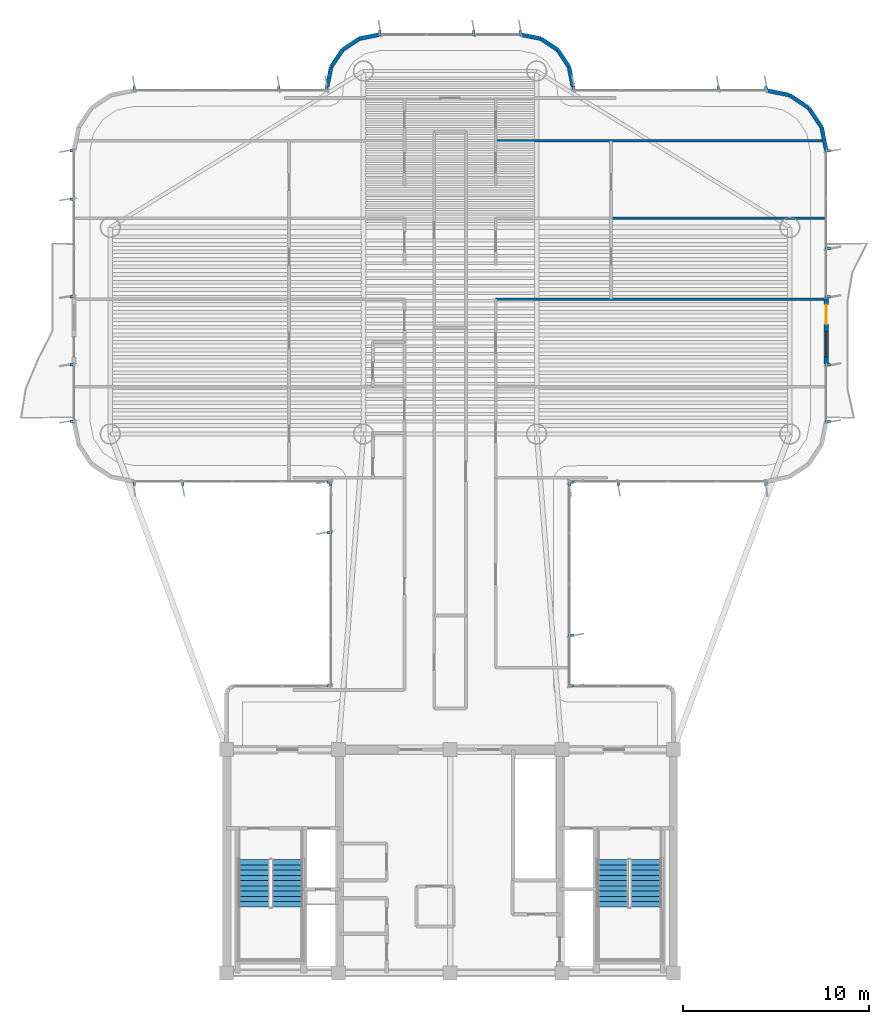
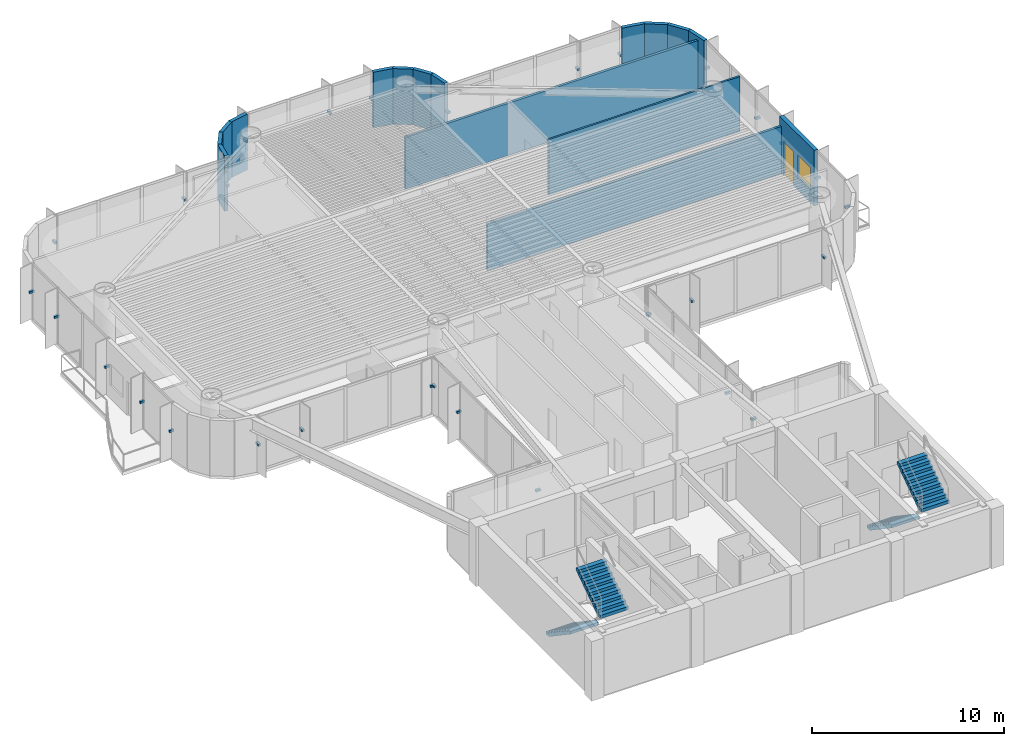
# One storey, part 12 of 14: 31 discrete accessories, 16 walls, 4 stair flights, 1 door, 1 window, 2 openings, 2 elements without a shape of their own.
"""IFC4 building model written with IfcOpenShell, lengths in metres."""

from ifc_helpers import new_model, si_unit, direction, frame, frame_2d, origin, origin_2d, place, context, subcontext, project, spatial, polyline, rectangle, outline, extrude, source, transform, mapped, material, layer, layer_set, type_object, element, fill, aggregate, save


model = new_model("IFC4")

# Units and contexts
model_context = context("Model", 3, precision=1e-05, world=origin(), true_north=direction((0.0, 1.0)))
body_context = subcontext(model_context, "Body", "Model", "MODEL_VIEW")
ifc_project = project(units=[si_unit("LENGTHUNIT", "METRE"), si_unit("AREAUNIT", "SQUARE_METRE"), si_unit("VOLUMEUNIT", "CUBIC_METRE"), si_unit("PLANEANGLEUNIT", "RADIAN"), si_unit("MASSUNIT", "GRAM", prefix="KILO")], contexts=[model_context])

# Site, building, storey
site_placement = place(None, origin())
site = spatial("IfcSite", under=ifc_project, at=site_placement, CompositionType="ELEMENT")
building_placement = place(site_placement, origin())
building = spatial("IfcBuilding", under=site, at=building_placement, Name="Brelvock Crest Care Tower", CompositionType="ELEMENT")
storey_placement = place(building_placement, frame((0.0, 0.0, 194.219970703125)))
storey = spatial("IfcBuildingStorey", under=building, at=storey_placement, Name="L49", CompositionType="ELEMENT", Elevation=194.219970703125)

# Wall, openings, door, window
ifc_material_1 = material(Name="Precast concrete N40 (40 MPa)", Category="concrete")
ifc_layer_1 = layer(ifc_material_1, 0.239990234375, Name="WL-EX1")
ifc_layer_set_1 = layer_set([ifc_layer_1], Name="Precast concrete N40 (40 MPa)")
wall_type_1 = type_object("IfcWallType", Name="WL-EX1", PredefinedType="SOLIDWALL", material=ifc_layer_set_1)
wall_1_placement = place(storey_placement, frame((56.199951171875, 42.300048828125, 0.0), z_axis=(0.0, 0.0, 1.0), x_axis=(0.0, -1.0, 0.0)))
wall_1 = element("IfcWall", 1, at=wall_1_placement, inside=storey, type_object=wall_type_1, Name="L49 Exterior Spandrel Wall WL-BAL-L49-E", PredefinedType="SOLIDWALL", context=body_context, shape_type="SweptSolid", body=[
    extrude(rectangle(XDim=3.60009765625, YDim=0.239990234375, at=frame_2d((1.800048828125, 0.0))), origin(), (0.0, 0.0, 1.0), 3.530029296875),
])
opening_1_placement = place(wall_1_placement, frame((0.39990234375, 0.0, 0.0)))
opening_1 = element("IfcOpeningElement", 2, at=opening_1_placement, cuts=wall_1, Name="Opening BD-1", PredefinedType="OPENING", context=body_context, shape_type="SweptSolid", body=[
    extrude(rectangle(XDim=1.050048828125, YDim=2.14990234375, at=origin_2d()), frame((0.52490234375, 0.1298828125, 1.074951171875), z_axis=(0.0, -1.0, 0.0), x_axis=(1.0, 0.0, 0.0)), (0.0, 0.0, 1.0), 0.260009765625),
])
opening_2_placement = place(wall_1_placement, frame((1.85009765625, 0.0, 0.85009765625)))
opening_2 = element("IfcOpeningElement", 3, at=opening_2_placement, cuts=wall_1, Name="Opening W-01", PredefinedType="OPENING", context=body_context, shape_type="SweptSolid", body=[
    extrude(rectangle(XDim=1.35009765625, YDim=1.35009765625, at=origin_2d()), frame((0.675048828125, 0.1298828125, 0.675048828125), z_axis=(0.0, -1.0, 0.0), x_axis=(1.0, 0.0, 0.0)), (0.0, 0.0, 1.0), 0.260009765625),
])
ifc_material_2 = material(Name="Dark Glass Double Glazed Low-E", Category="glass")
door_type = type_object("IfcDoorType", Name="DR-BAL1", OperationType="NOTDEFINED", PredefinedType="DOOR", material=ifc_material_2)
shared_shape_1 = source(origin(), body_context, "Body", "SweptSolid", [
    extrude(rectangle(XDim=1.050048828125, YDim=2.14990234375, at=origin_2d()), frame((0.52490234375, 0.02490234375, 1.074951171875), z_axis=(0.0, -1.0, 0.0), x_axis=(1.0, 0.0, 0.0)), (0.0, 0.0, 1.0), 0.050048828125),
])
door_placement = place(opening_1_placement, origin())
door = element("IfcDoor", 4, at=door_placement, inside=storey, type_object=door_type, Name="L49 E Wave Balcony Glazed Door", OperationType="SINGLE_SWING_RIGHT", OverallHeight=2.14990234375, OverallWidth=1.050048828125, PredefinedType="DOOR", context=body_context, shape_type="MappedRepresentation", body=[
    mapped(shared_shape_1, transform((0.0, 0.0, 0.0), x_axis=(1.0, 0.0, 0.0), y_axis=(0.0, 1.0, 0.0), z_axis=(0.0, 0.0, 1.0), scale=1.0)),
])
fill(opening_1, door)
window_type = type_object("IfcWindowType", Name="WN-EX1", PartitioningType="SINGLE_PANEL", PredefinedType="WINDOW", material=ifc_material_2)
shared_shape_2 = source(origin(), body_context, "Body", "SweptSolid", [
    extrude(rectangle(XDim=1.35009765625, YDim=1.35009765625, at=origin_2d()), frame((0.675048828125, 0.030029296875, 0.675048828125), z_axis=(0.0, -1.0, 0.0), x_axis=(1.0, 0.0, 0.0)), (0.0, 0.0, 1.0), 0.06005859375),
])
window_placement = place(opening_2_placement, origin())
window = element("IfcWindow", 5, at=window_placement, inside=storey, type_object=window_type, Name="L49 E Suite Casement Window", OverallHeight=1.35009765625, OverallWidth=1.35009765625, PartitioningType="SINGLE_PANEL", PredefinedType="WINDOW", context=body_context, shape_type="MappedRepresentation", body=[
    mapped(shared_shape_2, transform((0.0, 0.0, 0.0), x_axis=(1.0, 0.0, 0.0), y_axis=(0.0, 1.0, 0.0), z_axis=(0.0, 0.0, 1.0), scale=1.0)),
])
fill(opening_2, window)

# Walls
ifc_layer_2 = layer(ifc_material_1, 0.215087890625, Name="WL-EX2")
ifc_layer_set_2 = layer_set([ifc_layer_2], Name="Precast concrete N40 (40 MPa)")
wall_type_2 = type_object("IfcWallType", Name="WL-EX2", PredefinedType="SOLIDWALL", material=ifc_layer_set_2)
wall_2_placement = place(storey_placement, frame((29.39990234375, 53.60009765625, 0.0), z_axis=(0.0, 0.0, 1.0), x_axis=(0.195127417394, 0.980777900945, 0.0)))
element("IfcWall", 6, at=wall_2_placement, inside=storey, type_object=wall_type_2, Name="L49 Rounded Corner Wall 24", PredefinedType="SOLIDWALL", context=body_context, shape_type="SweptSolid", body=[
    extrude(rectangle(XDim=1.09228515625, YDim=0.215087890625, at=frame_2d((0.546142578125, 0.0))), origin(), (0.0, 0.0, 1.0), 3.530029296875),
])
wall_3_placement = place(storey_placement, frame((29.613037109375, 54.67138671875, 0.0), z_axis=(0.0, 0.0, 1.0), x_axis=(0.555679482341, 0.831396603857, 0.0)))
element("IfcWall", 7, at=wall_3_placement, inside=storey, type_object=wall_type_2, Name="L49 Rounded Corner Wall 25", PredefinedType="SOLIDWALL", context=body_context, shape_type="SweptSolid", body=[
    extrude(rectangle(XDim=1.0927734375, YDim=0.215087890625, at=frame_2d((0.54638671875, 0.0))), origin(), (0.0, 0.0, 1.0), 3.530029296875),
])
for number, where, z_axis, x_axis, name in (
    (8, (30.22021484375, 55.579833984375, 0.0), (0.0, 0.0, 1.0), (0.831327592857, 0.555782721353, 0.0), "L49 Rounded Corner Wall 26"),
    (9, (31.12841796875, 56.18701171875, 0.0), (0.0, 0.0, 1.0), (0.980829143587, 0.194869677195, 0.0), "L49 Rounded Corner Wall 27"),
    (10, (39.800048828125, 56.39990234375, 0.0), (0.0, 0.0, 1.0), (0.980829143587, -0.194869677195, 0.0), "L49 Rounded Corner Wall 29"),
    (11, (40.87158203125, 56.18701171875, 0.0), (0.0, 0.0, 1.0), (0.831327592857, -0.555782721353, 0.0), "L49 Rounded Corner Wall 30"),
):
    element("IfcWall", number, at=place(storey_placement, frame(where, z_axis=z_axis, x_axis=x_axis)), inside=storey, type_object=wall_type_2, Name=name, PredefinedType="SOLIDWALL", context=body_context, shape_type="SweptSolid", body=[
        extrude(rectangle(XDim=1.092529296875, YDim=0.215087890625, at=frame_2d((0.54638671875, 0.0))), origin(), (0.0, 0.0, 1.0), 3.530029296875),
    ])
wall_4_placement = place(storey_placement, frame((41.77978515625, 55.579833984375, 0.0), z_axis=(0.0, 0.0, 1.0), x_axis=(0.555679482341, -0.831396603857, 0.0)))
element("IfcWall", 12, at=wall_4_placement, inside=storey, type_object=wall_type_2, Name="L49 Rounded Corner Wall 31", PredefinedType="SOLIDWALL", context=body_context, shape_type="SweptSolid", body=[
    extrude(rectangle(XDim=1.0927734375, YDim=0.215087890625, at=frame_2d((0.54638671875, 0.0))), origin(), (0.0, 0.0, 1.0), 3.530029296875),
])
wall_5_placement = place(storey_placement, frame((42.386962890625, 54.67138671875, 0.0), z_axis=(0.0, 0.0, 1.0), x_axis=(0.195127417394, -0.980777900945, 0.0)))
element("IfcWall", 13, at=wall_5_placement, inside=storey, type_object=wall_type_2, Name="L49 Rounded Corner Wall 32", PredefinedType="SOLIDWALL", context=body_context, shape_type="SweptSolid", body=[
    extrude(rectangle(XDim=1.09228515625, YDim=0.215087890625, at=frame_2d((0.546142578125, 0.0))), origin(), (0.0, 0.0, 1.0), 3.530029296875),
])
for number, where, z_axis, x_axis, name in (
    (14, (53.0, 53.39990234375, 0.0), (0.0, 0.0, 1.0), (0.980813122964, -0.194950295773, 0.0), "L49 Rounded Corner Wall 35"),
    (15, (54.224609375, 53.156494140625, 0.0), (0.0, 0.0, 1.0), (0.831387912822, -0.555692485475, 0.0), "L49 Rounded Corner Wall 36"),
    (16, (55.2626953125, 52.462646484375, 0.0), (0.0, 0.0, 1.0), (0.555557312883, -0.831478245117, 0.0), "L49 Rounded Corner Wall 37"),
    (17, (55.956298828125, 51.424560546875, 0.0), (0.0, 0.0, 1.0), (0.195138390419, -0.980775717779, 0.0), "L49 Rounded Corner Wall 38"),
):
    element("IfcWall", number, at=place(storey_placement, frame(where, z_axis=z_axis, x_axis=x_axis)), inside=storey, type_object=wall_type_2, Name=name, PredefinedType="SOLIDWALL", context=body_context, shape_type="SweptSolid", body=[
        extrude(rectangle(XDim=1.24853515625, YDim=0.215087890625, at=frame_2d((0.624267578125, 0.0))), origin(), (0.0, 0.0, 1.0), 3.530029296875),
    ])
ifc_material_3 = material(Name="Masonry Blockwork Acoustic Partition", Category="masonry")
ifc_layer_3 = layer(ifc_material_3, 0.14990234375, Name="WL-INT1")
ifc_layer_set_3 = layer_set([ifc_layer_3], Name="Masonry Blockwork Acoustic Partition")
wall_type_3 = type_object("IfcWallType", Name="WL-INT1", PredefinedType="PARTITIONING", material=ifc_layer_set_3)
wall_6_placement = place(storey_placement, frame((38.449951171875, 42.193115234375, 0.0), z_axis=(0.0, 0.0, 1.0), x_axis=(1.0, 0.0, 0.0)))
element("IfcWall", 18, at=wall_6_placement, inside=storey, type_object=wall_type_3, Name="L49 Interior Wall WL-BX-L49-ESW2-N", PredefinedType="PARTITIONING", context=body_context, shape_type="SweptSolid", body=[
    extrude(rectangle(XDim=17.670166015625, YDim=0.14990234375, at=frame_2d((8.8349609375, 0.0))), origin(), (0.0, 0.0, 1.0), 2.98193359375),
])
wall_7_placement = place(storey_placement, frame((38.449951171875, 50.699951171875, 0.0), z_axis=(0.0, 0.0, 1.0), x_axis=(1.0, 0.0, 0.0)))
element("IfcWall", 19, at=wall_7_placement, inside=storey, type_object=wall_type_3, Name="L49 Interior Wall WL-BX-L49-NALE-S", PredefinedType="PARTITIONING", context=body_context, shape_type="SweptSolid", body=[
    extrude(rectangle(XDim=17.569091796875, YDim=0.14990234375, at=frame_2d((8.78466796875, 0.0))), origin(), (0.0, 0.0, 1.0), 3.30810546875),
])
ifc_material_4 = material(Name="Gypsum Plasterboard Partition", Category="gypsum")
ifc_layer_4 = layer(ifc_material_4, 0.1201171875, Name="WL-INT2")
ifc_layer_set_4 = layer_set([ifc_layer_4], Name="Gypsum Plasterboard Partition")
wall_type_4 = type_object("IfcWallType", Name="WL-INT2", PredefinedType="PARTITIONING", material=ifc_layer_set_4)
wall_8_placement = place(storey_placement, frame((44.64990234375, 46.537109375, 0.0), z_axis=(0.0, 0.0, 1.0), x_axis=(1.0, 0.0, 0.0)))
element("IfcWall", 20, at=wall_8_placement, inside=storey, type_object=wall_type_4, Name="L49 Interior Wall WL-BX-L49-ES3S-N", PredefinedType="PARTITIONING", context=body_context, shape_type="SweptSolid", body=[
    extrude(rectangle(XDim=11.47021484375, YDim=0.1201171875, at=frame_2d((5.735107421875, 0.0))), origin(), (0.0, 0.0, 1.0), 3.5),
])

# Stair, stair flights
ifc_material_5 = material(Name="Concrete N40 (40 MPa)", Category="concrete")
stair_type = type_object("IfcStairType", Name="ST-CORE1", PredefinedType="HALF_TURN_STAIR", material=ifc_material_5)
stair_1_placement = place(storey_placement, origin())
stair_1 = element("IfcStair", 21, at=stair_1_placement, inside=storey, type_object=stair_type, Name="L49 Fire-Isolated Core Stair ST-1", PredefinedType="HALF_TURN_STAIR")
stair_flight_type = type_object("IfcStairFlightType", Name="STF-1", PredefinedType="STRAIGHT", material=ifc_material_5)
stair_flight_1_placement = place(storey_placement, frame((25.469970703125, 12.080078125, 0.0), z_axis=(0.0, 0.0, 1.0), x_axis=(0.0, -1.0, 0.0)))
stair_flight_1 = element("IfcStairFlight", 22, at=stair_flight_1_placement, type_object=stair_flight_type, Name="ST-1 flight 1", NumberOfRisers=10, NumberOfTreads=9, PredefinedType="STRAIGHT", RiserHeight=0.189, TreadLength=0.28, context=body_context, shape_type="SweptSolid", body=[
    extrude(outline(polyline([(-0.00390625, -0.014892578125), (-0.00390625, -0.0078125), (-0.00390625, -0.00048828125), (-0.00390625, 0.0068359375), (-0.00390625, 0.01416015625), (-0.00390625, 0.021484375), (-0.00390625, 0.02880859375), (-0.00390625, 0.035888671875), (-0.00390625, 0.043212890625), (-0.00390625, 0.050537109375), (-0.00390625, 0.057861328125), (-0.00390625, 0.065185546875), (-0.00390625, 0.072509765625), (-0.00390625, 0.07958984375), (-0.00390625, 0.0869140625), (-0.00390625, 0.09423828125), (-0.00390625, 0.1015625), (-0.00390625, 0.10888671875), (-0.00390625, 0.1162109375), (-0.00390625, 0.12353515625), (-0.00390625, 0.130615234375), (-0.00390625, 0.137939453125), (-0.00390625, 0.145263671875), (-0.00390625, 0.152587890625), (-0.00390625, 0.159912109375), (-0.00390625, 0.167236328125), (-0.00390625, 0.17431640625), (-0.00390625, 0.181640625), (-0.00390625, 0.18896484375), (0.0, 0.18896484375), (0.280029296875, 0.18896484375), (0.280029296875, 0.3779296875), (0.56005859375, 0.3779296875), (0.56005859375, 0.56689453125), (0.840087890625, 0.56689453125), (0.840087890625, 0.756103515625), (1.1201171875, 0.756103515625), (1.1201171875, 0.945068359375), (1.39990234375, 0.945068359375), (1.39990234375, 1.134033203125), (1.679931640625, 1.134033203125), (1.679931640625, 1.322998046875), (1.9599609375, 1.322998046875), (1.9599609375, 1.511962890625), (2.239990234375, 1.511962890625), (2.239990234375, 1.700927734375), (2.52001953125, 1.700927734375), (2.52392578125, 1.700927734375), (2.523681640625, 1.70068359375), (2.52392578125, 1.700439453125), (2.523681640625, 1.699951171875), (2.52392578125, 1.69970703125), (2.523681640625, 1.699462890625), (2.52392578125, 1.698974609375), (2.523681640625, 1.69873046875), (2.52392578125, 1.698486328125), (2.523681640625, 1.697998046875), (2.52392578125, 1.69775390625), (2.523681640625, 1.697509765625), (2.52392578125, 1.697021484375), (2.523681640625, 1.69677734375), (2.52392578125, 1.696533203125), (2.523681640625, 1.6962890625), (2.52392578125, 1.69580078125), (2.523681640625, 1.695556640625), (2.52392578125, 1.6953125), (2.523681640625, 1.69482421875), (2.52392578125, 1.694580078125), (2.523681640625, 1.6943359375), (2.52392578125, 1.69384765625), (2.523681640625, 1.693603515625), (2.52392578125, 1.693359375), (2.523681640625, 1.69287109375), (2.52392578125, 1.692626953125), (2.523681640625, 1.6923828125), (2.52392578125, 1.69189453125), (2.52001953125, 1.520263671875), (0.267822265625, 0.0), (0.0, 0.0), (0.0, -0.014892578125), (-0.00390625, -0.014892578125)])), frame((0.0, 0.83984375, 0.0), z_axis=(0.0, -1.0, 0.0), x_axis=(1.0, 0.0, 0.0)), (0.0, 0.0, 1.0), 1.679931640625),
])
stair_flight_2_placement = place(storey_placement, frame((27.27001953125, 9.56005859375, 1.89013671875), z_axis=(0.0, 0.0, 1.0), x_axis=(0.0, 1.0, 0.0)))
stair_flight_2 = element("IfcStairFlight", 23, at=stair_flight_2_placement, type_object=stair_flight_type, Name="ST-1 flight 2", NumberOfRisers=10, NumberOfTreads=9, PredefinedType="STRAIGHT", RiserHeight=0.189, TreadLength=0.28, context=body_context, shape_type="SweptSolid", body=[
    extrude(outline(polyline([(-0.00390625, -0.014892578125), (-0.00390625, -0.0078125), (-0.00390625, -0.00048828125), (-0.00390625, 0.0068359375), (-0.00390625, 0.01416015625), (-0.00390625, 0.021484375), (-0.00390625, 0.02880859375), (-0.00390625, 0.035888671875), (-0.00390625, 0.043212890625), (-0.00390625, 0.050537109375), (-0.00390625, 0.057861328125), (-0.00390625, 0.065185546875), (-0.00390625, 0.072509765625), (-0.00390625, 0.07958984375), (-0.00390625, 0.0869140625), (-0.00390625, 0.09423828125), (-0.00390625, 0.1015625), (-0.00390625, 0.10888671875), (-0.00390625, 0.1162109375), (-0.00390625, 0.12353515625), (-0.00390625, 0.130615234375), (-0.00390625, 0.137939453125), (-0.00390625, 0.145263671875), (-0.00390625, 0.152587890625), (-0.00390625, 0.159912109375), (-0.00390625, 0.167236328125), (-0.00390625, 0.17431640625), (-0.00390625, 0.181640625), (-0.00390625, 0.18896484375), (0.0, 0.18896484375), (0.280029296875, 0.18896484375), (0.280029296875, 0.3779296875), (0.56005859375, 0.3779296875), (0.56005859375, 0.56689453125), (0.840087890625, 0.56689453125), (0.840087890625, 0.756103515625), (1.1201171875, 0.756103515625), (1.1201171875, 0.945068359375), (1.39990234375, 0.945068359375), (1.39990234375, 1.134033203125), (1.679931640625, 1.134033203125), (1.679931640625, 1.322998046875), (1.9599609375, 1.322998046875), (1.9599609375, 1.511962890625), (2.239990234375, 1.511962890625), (2.239990234375, 1.700927734375), (2.52001953125, 1.700927734375), (2.52392578125, 1.700927734375), (2.523681640625, 1.70068359375), (2.52392578125, 1.700439453125), (2.523681640625, 1.699951171875), (2.52392578125, 1.69970703125), (2.523681640625, 1.699462890625), (2.52392578125, 1.698974609375), (2.523681640625, 1.69873046875), (2.52392578125, 1.698486328125), (2.523681640625, 1.697998046875), (2.52392578125, 1.69775390625), (2.523681640625, 1.697509765625), (2.52392578125, 1.697021484375), (2.523681640625, 1.69677734375), (2.52392578125, 1.696533203125), (2.523681640625, 1.6962890625), (2.52392578125, 1.69580078125), (2.523681640625, 1.695556640625), (2.52392578125, 1.6953125), (2.523681640625, 1.69482421875), (2.52392578125, 1.694580078125), (2.523681640625, 1.6943359375), (2.52392578125, 1.69384765625), (2.523681640625, 1.693603515625), (2.52392578125, 1.693359375), (2.523681640625, 1.69287109375), (2.52392578125, 1.692626953125), (2.523681640625, 1.6923828125), (2.52392578125, 1.69189453125), (2.52001953125, 1.520263671875), (0.267822265625, 0.0), (0.0, 0.0), (0.0, -0.014892578125), (-0.00390625, -0.014892578125)])), frame((0.0, 0.83984375, 0.0), z_axis=(0.0, -1.0, 0.0), x_axis=(1.0, 0.0, 0.0)), (0.0, 0.0, 1.0), 1.679931640625),
])
aggregate(stair_1, [stair_flight_1, stair_flight_2])

stair_2_placement = place(storey_placement, origin())
stair_2 = element("IfcStair", 24, at=stair_2_placement, inside=storey, type_object=stair_type, Name="L49 Fire-Isolated Core Stair ST-2", PredefinedType="HALF_TURN_STAIR")
stair_flight_3_placement = place(storey_placement, frame((44.72998046875, 12.080078125, 0.0), z_axis=(0.0, 0.0, 1.0), x_axis=(0.0, -1.0, 0.0)))
stair_flight_3 = element("IfcStairFlight", 25, at=stair_flight_3_placement, type_object=stair_flight_type, Name="ST-2 flight 1", NumberOfRisers=10, NumberOfTreads=9, PredefinedType="STRAIGHT", RiserHeight=0.189, TreadLength=0.28, context=body_context, shape_type="SweptSolid", body=[
    extrude(outline(polyline([(-0.00390625, -0.014892578125), (-0.00390625, -0.0078125), (-0.00390625, -0.00048828125), (-0.00390625, 0.0068359375), (-0.00390625, 0.01416015625), (-0.00390625, 0.021484375), (-0.00390625, 0.02880859375), (-0.00390625, 0.035888671875), (-0.00390625, 0.043212890625), (-0.00390625, 0.050537109375), (-0.00390625, 0.057861328125), (-0.00390625, 0.065185546875), (-0.00390625, 0.072509765625), (-0.00390625, 0.07958984375), (-0.00390625, 0.0869140625), (-0.00390625, 0.09423828125), (-0.00390625, 0.1015625), (-0.00390625, 0.10888671875), (-0.00390625, 0.1162109375), (-0.00390625, 0.12353515625), (-0.00390625, 0.130615234375), (-0.00390625, 0.137939453125), (-0.00390625, 0.145263671875), (-0.00390625, 0.152587890625), (-0.00390625, 0.159912109375), (-0.00390625, 0.167236328125), (-0.00390625, 0.17431640625), (-0.00390625, 0.181640625), (-0.00390625, 0.18896484375), (0.0, 0.18896484375), (0.280029296875, 0.18896484375), (0.280029296875, 0.3779296875), (0.56005859375, 0.3779296875), (0.56005859375, 0.56689453125), (0.840087890625, 0.56689453125), (0.840087890625, 0.756103515625), (1.1201171875, 0.756103515625), (1.1201171875, 0.945068359375), (1.39990234375, 0.945068359375), (1.39990234375, 1.134033203125), (1.679931640625, 1.134033203125), (1.679931640625, 1.322998046875), (1.9599609375, 1.322998046875), (1.9599609375, 1.511962890625), (2.239990234375, 1.511962890625), (2.239990234375, 1.700927734375), (2.52001953125, 1.700927734375), (2.52392578125, 1.700927734375), (2.523681640625, 1.70068359375), (2.52392578125, 1.700439453125), (2.523681640625, 1.699951171875), (2.52392578125, 1.69970703125), (2.523681640625, 1.699462890625), (2.52392578125, 1.698974609375), (2.523681640625, 1.69873046875), (2.52392578125, 1.698486328125), (2.523681640625, 1.697998046875), (2.52392578125, 1.69775390625), (2.523681640625, 1.697509765625), (2.52392578125, 1.697021484375), (2.523681640625, 1.69677734375), (2.52392578125, 1.696533203125), (2.523681640625, 1.6962890625), (2.52392578125, 1.69580078125), (2.523681640625, 1.695556640625), (2.52392578125, 1.6953125), (2.523681640625, 1.69482421875), (2.52392578125, 1.694580078125), (2.523681640625, 1.6943359375), (2.52392578125, 1.69384765625), (2.523681640625, 1.693603515625), (2.52392578125, 1.693359375), (2.523681640625, 1.69287109375), (2.52392578125, 1.692626953125), (2.523681640625, 1.6923828125), (2.52392578125, 1.69189453125), (2.52001953125, 1.520263671875), (0.267822265625, 0.0), (0.0, 0.0), (0.0, -0.014892578125), (-0.00390625, -0.014892578125)])), frame((0.0, 0.83984375, 0.0), z_axis=(0.0, -1.0, 0.0), x_axis=(1.0, 0.0, 0.0)), (0.0, 0.0, 1.0), 1.679931640625),
])
stair_flight_4_placement = place(storey_placement, frame((46.530029296875, 9.56005859375, 1.89013671875), z_axis=(0.0, 0.0, 1.0), x_axis=(0.0, 1.0, 0.0)))
stair_flight_4 = element("IfcStairFlight", 26, at=stair_flight_4_placement, type_object=stair_flight_type, Name="ST-2 flight 2", NumberOfRisers=10, NumberOfTreads=9, PredefinedType="STRAIGHT", RiserHeight=0.189, TreadLength=0.28, context=body_context, shape_type="SweptSolid", body=[
    extrude(outline(polyline([(-0.00390625, -0.014892578125), (-0.00390625, -0.0078125), (-0.00390625, -0.00048828125), (-0.00390625, 0.0068359375), (-0.00390625, 0.01416015625), (-0.00390625, 0.021484375), (-0.00390625, 0.02880859375), (-0.00390625, 0.035888671875), (-0.00390625, 0.043212890625), (-0.00390625, 0.050537109375), (-0.00390625, 0.057861328125), (-0.00390625, 0.065185546875), (-0.00390625, 0.072509765625), (-0.00390625, 0.07958984375), (-0.00390625, 0.0869140625), (-0.00390625, 0.09423828125), (-0.00390625, 0.1015625), (-0.00390625, 0.10888671875), (-0.00390625, 0.1162109375), (-0.00390625, 0.12353515625), (-0.00390625, 0.130615234375), (-0.00390625, 0.137939453125), (-0.00390625, 0.145263671875), (-0.00390625, 0.152587890625), (-0.00390625, 0.159912109375), (-0.00390625, 0.167236328125), (-0.00390625, 0.17431640625), (-0.00390625, 0.181640625), (-0.00390625, 0.18896484375), (0.0, 0.18896484375), (0.280029296875, 0.18896484375), (0.280029296875, 0.3779296875), (0.56005859375, 0.3779296875), (0.56005859375, 0.56689453125), (0.840087890625, 0.56689453125), (0.840087890625, 0.756103515625), (1.1201171875, 0.756103515625), (1.1201171875, 0.945068359375), (1.39990234375, 0.945068359375), (1.39990234375, 1.134033203125), (1.679931640625, 1.134033203125), (1.679931640625, 1.322998046875), (1.9599609375, 1.322998046875), (1.9599609375, 1.511962890625), (2.239990234375, 1.511962890625), (2.239990234375, 1.700927734375), (2.52001953125, 1.700927734375), (2.52392578125, 1.700927734375), (2.523681640625, 1.70068359375), (2.52392578125, 1.700439453125), (2.523681640625, 1.699951171875), (2.52392578125, 1.69970703125), (2.523681640625, 1.699462890625), (2.52392578125, 1.698974609375), (2.523681640625, 1.69873046875), (2.52392578125, 1.698486328125), (2.523681640625, 1.697998046875), (2.52392578125, 1.69775390625), (2.523681640625, 1.697509765625), (2.52392578125, 1.697021484375), (2.523681640625, 1.69677734375), (2.52392578125, 1.696533203125), (2.523681640625, 1.6962890625), (2.52392578125, 1.69580078125), (2.523681640625, 1.695556640625), (2.52392578125, 1.6953125), (2.523681640625, 1.69482421875), (2.52392578125, 1.694580078125), (2.523681640625, 1.6943359375), (2.52392578125, 1.69384765625), (2.523681640625, 1.693603515625), (2.52392578125, 1.693359375), (2.523681640625, 1.69287109375), (2.52392578125, 1.692626953125), (2.523681640625, 1.6923828125), (2.52392578125, 1.69189453125), (2.52001953125, 1.520263671875), (0.267822265625, 0.0), (0.0, 0.0), (0.0, -0.014892578125), (-0.00390625, -0.014892578125)])), frame((0.0, 0.83984375, 0.0), z_axis=(0.0, -1.0, 0.0), x_axis=(1.0, 0.0, 0.0)), (0.0, 0.0, 1.0), 1.679931640625),
])
aggregate(stair_2, [stair_flight_3, stair_flight_4])

# Discrete accessories
ifc_material_6 = material(Name="Steel Grade 350", Category="steel")
discrete_accessory_type = type_object("IfcDiscreteAccessoryType", Name="ACC-BRK1", PredefinedType="BRACKET", material=ifc_material_6)
shared_shape_3 = source(origin(), body_context, "Body", "SweptSolid", [
    extrude(rectangle(XDim=0.280029296875, YDim=0.139892578125, at=origin_2d()), origin(), (0.0, 0.0, 1.0), 0.139892578125),
])
for number, where, z_axis, x_axis, name in (
    (27, (29.52001953125, 21.429931640625, 1.6953125), (0.0, 0.0, 1.0), (-1.0, 0.0, 0.0), "L49 Facade Fin Bracket E11-01"),
    (28, (29.52001953125, 29.64990234375, 1.6953125), (0.0, 0.0, 1.0), (-1.0, 0.0, 0.0), "L49 Facade Fin Bracket E11-04"),
    (29, (29.52001953125, 32.3701171875, 1.6953125), (0.0, 0.0, 1.0), (-1.0, 0.0, 0.0), "L49 Facade Fin Bracket E11-05"),
    (30, (29.570068359375, 32.320068359375, 1.6953125), (0.0, 0.0, 1.0), (0.0, -1.0, 0.0), "L49 Facade Fin Bracket E12-01"),
    (31, (21.64990234375, 32.320068359375, 1.6953125), (0.0, 0.0, 1.0), (0.0, -1.0, 0.0), "L49 Facade Fin Bracket E12-04"),
    (32, (19.030029296875, 32.320068359375, 1.6953125), (0.0, 0.0, 1.0), (0.0, -1.0, 0.0), "L49 Facade Fin Bracket E12-05"),
    (33, (15.719970703125, 35.6298828125, 1.6953125), (0.0, 0.0, 1.0), (-1.0, 0.0, 0.0), "L49 Facade Fin Bracket E17A-01"),
    (34, (15.719970703125, 38.669921875, 1.6953125), (0.0, 0.0, 1.0), (-1.0, 0.0, 0.0), "L49 Facade Fin Bracket E17A-02"),
    (35, (15.719970703125, 42.330078125, 1.6953125), (0.0, 0.0, 1.0), (-1.0, 0.0, 0.0), "L49 Facade Fin Bracket E17B-01"),
    (36, (15.719970703125, 47.566650390625, 1.6953125), (0.0, 0.0, 1.0), (-1.0, 0.0, 0.0), "L49 Facade Fin Bracket E17B-03"),
    (37, (15.719970703125, 50.169921875, 1.6953125), (0.0, 0.0, 1.0), (-1.0, 0.0, 0.0), "L49 Facade Fin Bracket E17B-04"),
    (38, (19.030029296875, 53.47998046875, 1.6953125), (0.0, 0.0, 1.0), (0.0, 1.0, 0.0), "L49 Facade Fin Bracket E22-01"),
    (39, (26.800048828125, 53.47998046875, 1.6953125), (0.0, 0.0, 1.0), (0.0, 1.0, 0.0), "L49 Facade Fin Bracket E22-04"),
    (40, (29.3701171875, 53.47998046875, 1.6953125), (0.0, 0.0, 1.0), (0.0, 1.0, 0.0), "L49 Facade Fin Bracket E22-05"),
    (41, (32.22998046875, 56.47998046875, 1.6953125), (0.0, 0.0, 1.0), (0.0, 1.0, 0.0), "L49 Facade Fin Bracket E28-01"),
    (42, (37.2666015625, 56.47998046875, 1.6953125), (0.0, 0.0, 1.0), (0.0, 1.0, 0.0), "L49 Facade Fin Bracket E28-03"),
    (43, (39.77001953125, 56.47998046875, 1.6953125), (0.0, 0.0, 1.0), (0.0, 1.0, 0.0), "L49 Facade Fin Bracket E28-04"),
    (44, (42.6298828125, 53.47998046875, 1.6953125), (0.0, 0.0, 1.0), (0.0, 1.0, 0.0), "L49 Facade Fin Bracket E34-01"),
    (45, (50.39990234375, 53.47998046875, 1.6953125), (0.0, 0.0, 1.0), (0.0, 1.0, 0.0), "L49 Facade Fin Bracket E34-04"),
    (46, (52.969970703125, 53.47998046875, 1.6953125), (0.0, 0.0, 1.0), (0.0, 1.0, 0.0), "L49 Facade Fin Bracket E34-05"),
    (47, (56.280029296875, 50.169921875, 1.6953125), (0.0, 0.0, 1.0), (1.0, 0.0, 0.0), "L49 Facade Fin Bracket E39A-01"),
    (48, (56.280029296875, 44.933349609375, 1.6953125), (0.0, 0.0, 1.0), (1.0, 0.0, 0.0), "L49 Facade Fin Bracket E39A-03"),
    (49, (56.280029296875, 42.330078125, 1.6953125), (0.0, 0.0, 1.0), (1.0, 0.0, 0.0), "L49 Facade Fin Bracket E39A-04"),
    (50, (56.280029296875, 38.669921875, 1.6953125), (0.0, 0.0, 1.0), (1.0, 0.0, 0.0), "L49 Facade Fin Bracket E39B-01"),
    (51, (56.280029296875, 35.6298828125, 1.6953125), (0.0, 0.0, 1.0), (1.0, 0.0, 0.0), "L49 Facade Fin Bracket E39B-02"),
    (52, (52.969970703125, 32.320068359375, 1.6953125), (0.0, 0.0, 1.0), (0.0, -1.0, 0.0), "L49 Facade Fin Bracket E44-01"),
    (53, (45.050048828125, 32.320068359375, 1.6953125), (0.0, 0.0, 1.0), (0.0, -1.0, 0.0), "L49 Facade Fin Bracket E44-04"),
    (54, (42.429931640625, 32.320068359375, 1.6953125), (0.0, 0.0, 1.0), (0.0, -1.0, 0.0), "L49 Facade Fin Bracket E44-05"),
    (55, (42.47998046875, 32.3701171875, 1.6953125), (0.0, 0.0, 1.0), (1.0, 0.0, 0.0), "L49 Facade Fin Bracket E45-01"),
    (56, (42.47998046875, 24.14990234375, 1.6953125), (0.0, 0.0, 1.0), (1.0, 0.0, 0.0), "L49 Facade Fin Bracket E45-04"),
    (57, (42.47998046875, 21.429931640625, 1.6953125), (0.0, 0.0, 1.0), (1.0, 0.0, 0.0), "L49 Facade Fin Bracket E45-05"),
):
    element("IfcDiscreteAccessory", number, at=place(storey_placement, frame(where, z_axis=z_axis, x_axis=x_axis)), inside=storey, type_object=discrete_accessory_type, Name=name, PredefinedType="BRACKET", context=body_context, shape_type="MappedRepresentation", body=[
        mapped(shared_shape_3, transform((0.0, 0.0, 0.0), x_axis=(1.0, 0.0, 0.0), y_axis=(0.0, 1.0, 0.0), z_axis=(0.0, 0.0, 1.0), scale=1.0)),
    ])

save(model, "model.ifc")
